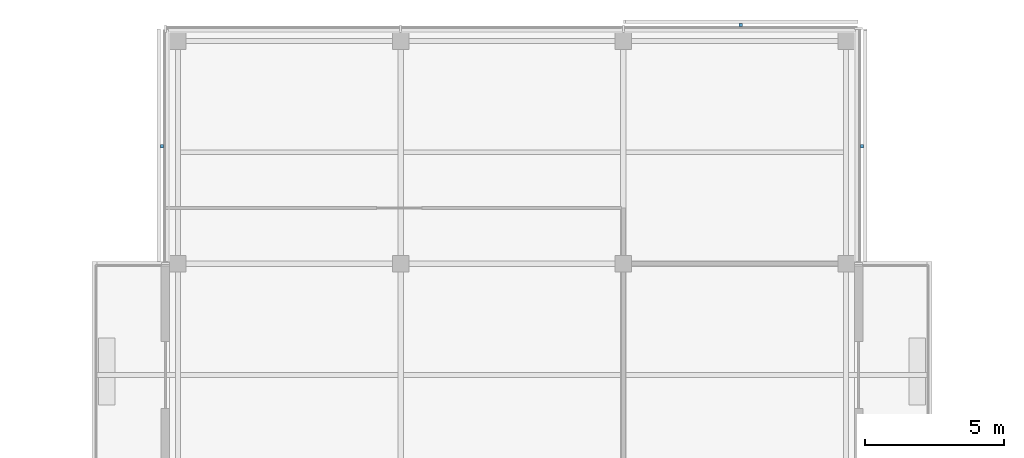
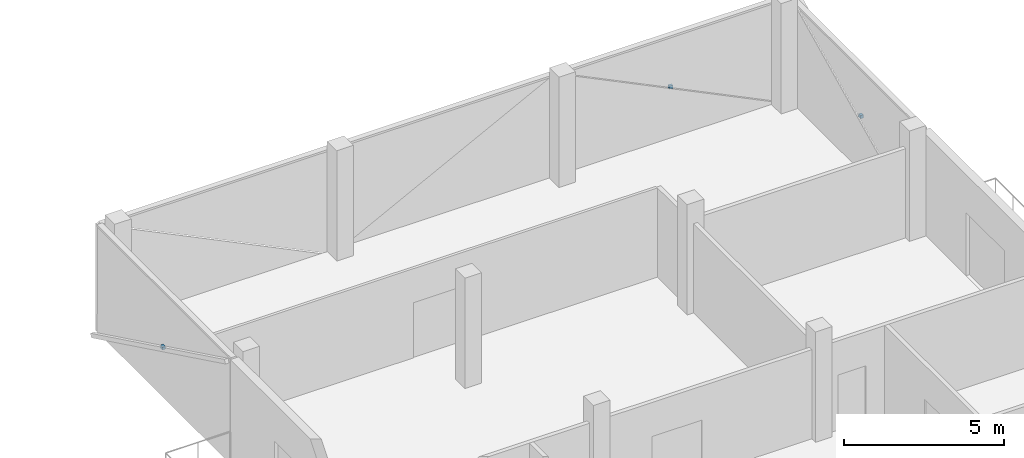
# One storey, part 10 of 11: 3 discrete accessories.
"""IFC4 building model written with IfcOpenShell, lengths in metres."""

from ifc_helpers import new_model, si_unit, direction, frame, origin, origin_2d, place, context, subcontext, project, spatial, rectangle, extrude, material, type_object, element, save


model = new_model("IFC4")

# Units and contexts
model_context = context("Model", 3, precision=1e-05, world=origin(), true_north=direction((0.0, 1.0)))
body_context = subcontext(model_context, "Body", "Model", "MODEL_VIEW")
ifc_project = project(units=[si_unit("LENGTHUNIT", "METRE"), si_unit("AREAUNIT", "SQUARE_METRE"), si_unit("VOLUMEUNIT", "CUBIC_METRE"), si_unit("PLANEANGLEUNIT", "RADIAN"), si_unit("MASSUNIT", "GRAM", prefix="KILO")], contexts=[model_context])

# Site, building, storey
site_placement = place(None, origin())
site = spatial("IfcSite", under=ifc_project, at=site_placement, CompositionType="ELEMENT")
building_placement = place(site_placement, origin())
building = spatial("IfcBuilding", under=site, at=building_placement, Name="Crosswind Convention Tower", CompositionType="ELEMENT")
storey_placement = place(building_placement, frame((0.0, 0.0, 344.89990234375)))
storey = spatial("IfcBuildingStorey", under=building, at=storey_placement, Name="L75", CompositionType="ELEMENT", Elevation=344.89990234375)

# Discrete accessories
ifc_material = material(Name="Stainless steel", Category="steel")
discrete_accessory_type = type_object("IfcDiscreteAccessoryType", Name="BAGUETTE BRACKET BK4", PredefinedType="BRACKET", material=ifc_material)
for number, where, z_axis, x_axis, name in (
    (1, (137.572021484375, 124.219970703125, 1.677490234375), (0.0, 0.0, 1.0), (0.0, 1.0, 0.0), "BK4 baguette bracket"),
    (2, (133.219970703125, 128.572021484375, 1.677490234375), (0.0, 0.0, 1.0), (-1.0, 0.0, 0.0), "BK4 baguette bracket"),
    (3, (112.427978515625, 124.219970703125, 1.677490234375), (0.0, 0.0, 1.0), (0.0, -1.0, 0.0), "BK4 baguette bracket"),
):
    element("IfcDiscreteAccessory", number, at=place(storey_placement, frame(where, z_axis=z_axis, x_axis=x_axis)), inside=storey, type_object=discrete_accessory_type, Name=name, PredefinedType="BRACKET", context=body_context, shape_type="SweptSolid", body=[
        extrude(rectangle(XDim=0.1201171875, YDim=0.10009765625, at=origin_2d()), origin(), (0.0, 0.0, 1.0), 0.1201171875),
    ])

save(model, "model.ifc")
